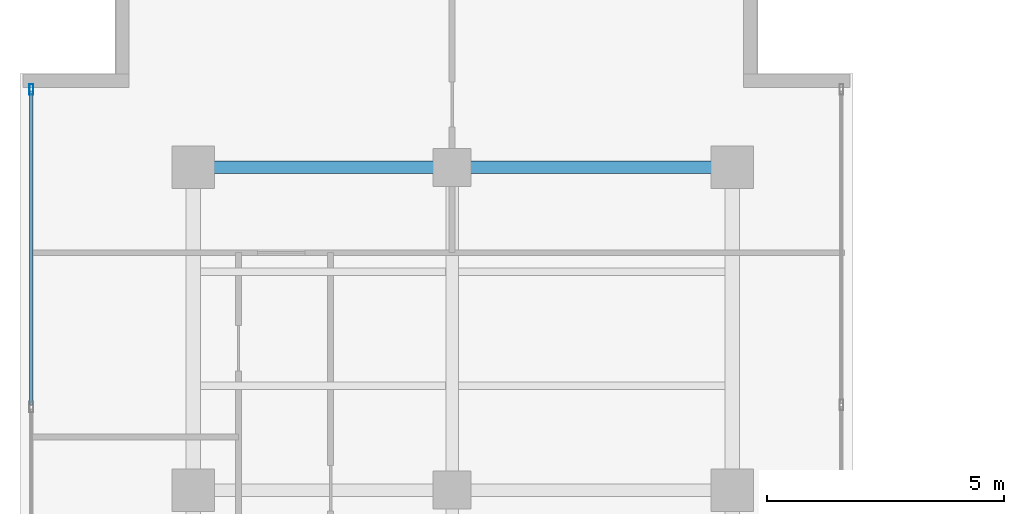
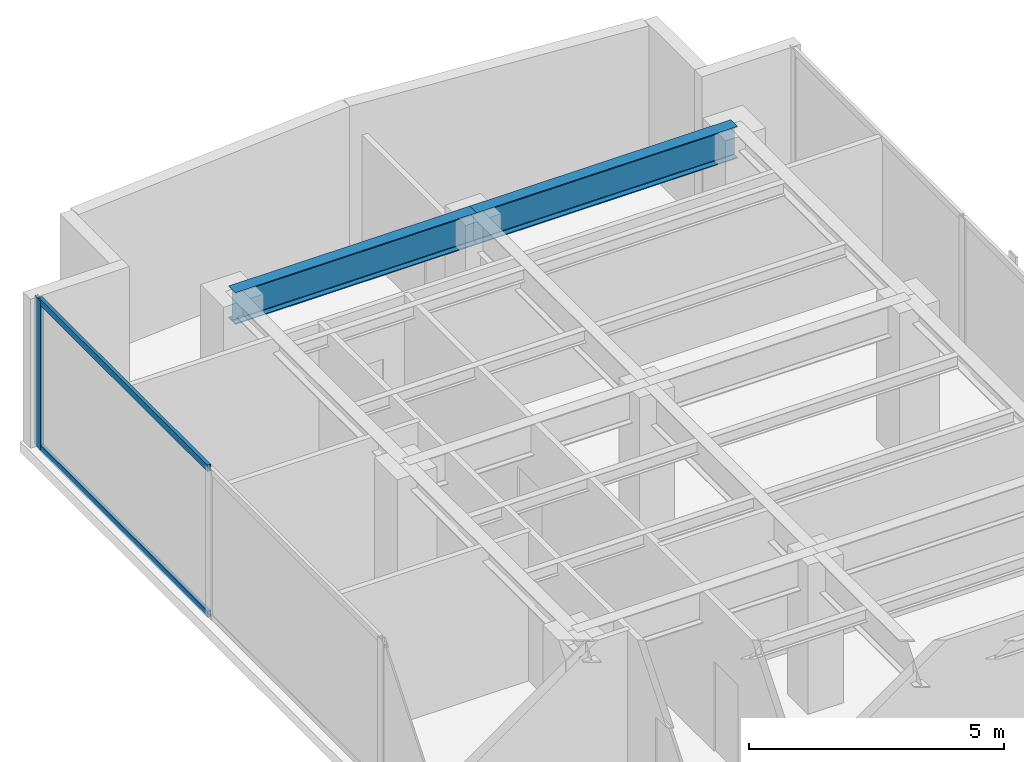
# One storey, part 14 of 24: 3 members, 2 beams, 1 element without a shape of its own.
"""IFC4 building model written with IfcOpenShell, lengths in metres."""

from ifc_helpers import new_model, si_unit, direction, frame, origin, origin_with_axes, origin_2d, place, context, subcontext, project, spatial, hollow_rectangle, i_section, extrude, source, transform, mapped, material, layer, layer_set, material_profile, profile_set, type_object, element, aggregate, save


model = new_model("IFC4")

# Units and contexts
model_context = context("Model", 3, precision=1e-05, world=origin(), true_north=direction((0.0, 1.0)))
body_context = subcontext(model_context, "Body", "Model", "MODEL_VIEW")
ifc_project = project(units=[si_unit("LENGTHUNIT", "METRE"), si_unit("AREAUNIT", "SQUARE_METRE"), si_unit("VOLUMEUNIT", "CUBIC_METRE"), si_unit("PLANEANGLEUNIT", "RADIAN"), si_unit("MASSUNIT", "GRAM", prefix="KILO")], contexts=[model_context])

# Site, building, storey
site_placement = place(None, origin())
site = spatial("IfcSite", under=ifc_project, at=site_placement, CompositionType="ELEMENT")
building_placement = place(site_placement, origin())
building = spatial("IfcBuilding", under=site, at=building_placement, Name="Kolvaren Waterfront Exchange", CompositionType="ELEMENT")
storey_placement = place(building_placement, frame((0.0, 0.0, 285.60009765625)))
storey = spatial("IfcBuildingStorey", under=building, at=storey_placement, Name="L73", CompositionType="ELEMENT", Elevation=285.60009765625)

# Beams
ifc_material_1 = material(Name="Steel S355", Category="steel")
ifc_material_profile_1 = material_profile(ifc_material_1, i_section(OverallWidth=0.26708984375, OverallDepth=0.761962890625, WebThickness=0.014404296875, FlangeThickness=0.021484375, FilletRadius=0.01708984375, at=origin_2d()), Name="IPE750x173")
ifc_profile_set_1 = profile_set([ifc_material_profile_1], Name="Steel S355")
beam_type = type_object("IfcBeamType", Name="STR-BM-IPE750", PredefinedType="BEAM", material=ifc_profile_set_1)
beam_1_placement = place(storey_placement, frame((7.449951171875, 44.60009765625, 3.178955078125), z_axis=(1.0, 0.0, 0.0), x_axis=(0.0, 1.0, 0.0)))
element("IfcBeam", 1, at=beam_1_placement, inside=storey, type_object=beam_type, Name="L73 north-arm girder 4A", PredefinedType="BEAM", context=body_context, shape_type="SweptSolid", body=[
    extrude(i_section(OverallWidth=0.26708984375, OverallDepth=0.761962890625, WebThickness=0.014404296875, FlangeThickness=0.021484375, FilletRadius=0.01708984375, at=origin_2d()), origin(), (0.0, 0.0, 1.0), 5.449951171875),
])
beam_2_placement = place(storey_placement, frame((12.89990234375, 44.60009765625, 3.178955078125), z_axis=(1.0, 0.0, 0.0), x_axis=(0.0, 1.0, 0.0)))
element("IfcBeam", 2, at=beam_2_placement, inside=storey, type_object=beam_type, Name="L73 north-arm girder 4B", PredefinedType="BEAM", context=body_context, shape_type="SweptSolid", body=[
    extrude(i_section(OverallWidth=0.26708984375, OverallDepth=0.761962890625, WebThickness=0.014404296875, FlangeThickness=0.021484375, FilletRadius=0.01708984375, at=origin_2d()), origin(), (0.0, 0.0, 1.0), 5.900146484375),
])

# Curtain wall, members
ifc_material_2 = material(Name="Anodised aluminium 6063-T6", Category="aluminium")
ifc_layer = layer(ifc_material_2, 0.219970703125, Name="Anodised aluminium 6063-T6")
ifc_layer_set = layer_set([ifc_layer], Name="Anodised aluminium 6063-T6")
curtain_wall_type = type_object("IfcCurtainWallType", Name="ARC-CW-SYS2", PredefinedType="USERDEFINED", material=ifc_layer_set)
curtain_wall_placement = place(storey_placement, origin())
curtain_wall = element("IfcCurtainWall", 3, at=curtain_wall_placement, inside=storey, type_object=curtain_wall_type, Name="L73 stick curtain wall CW2 (CW-L73-W)", ObjectType="STICK CURTAIN WALL", PredefinedType="USERDEFINED")
ifc_material_profile_2 = material_profile(ifc_material_2, hollow_rectangle(XDim=0.080078125, YDim=0.219970703125, WallThickness=0.0048828125, at=origin_2d()), Name="ALU-MUL-220x80x5")
ifc_profile_set_2 = profile_set([ifc_material_profile_2], Name="Anodised aluminium 6063-T6")
member_type_1 = type_object("IfcMemberType", Name="ARC-CWM-220", PredefinedType="MULLION", material=ifc_profile_set_2)
shared_shape_1 = source(origin_with_axes(), body_context, "Body", "SweptSolid", [
    extrude(hollow_rectangle(XDim=0.080078125, YDim=0.219970703125, WallThickness=0.0048828125, at=origin_2d()), origin(), (0.0, 0.0, 1.0), 3.559814453125),
])
member_1_placement = place(storey_placement, frame((4.0400390625, 46.239013671875, 0.0), z_axis=(0.0, 0.0, 1.0), x_axis=(-1.0, 0.0, 0.0)))
member_1 = element("IfcMember", 4, at=member_1_placement, type_object=member_type_1, Name="CW2 mullion 7", PredefinedType="MULLION", context=body_context, shape_type="MappedRepresentation", body=[
    mapped(shared_shape_1, transform((0.0, 0.0, 0.0), x_axis=(1.0, 0.0, 0.0), y_axis=(0.0, 1.0, 0.0), z_axis=(0.0, 0.0, 1.0), scale=1.0)),
])
ifc_material_profile_3 = material_profile(ifc_material_2, hollow_rectangle(XDim=0.074951171875, YDim=0.159912109375, WallThickness=0.00439453125, at=origin_2d()), Name="ALU-TRN-160x75x4.5")
ifc_profile_set_3 = profile_set([ifc_material_profile_3], Name="Anodised aluminium 6063-T6")
member_type_2 = type_object("IfcMemberType", Name="ARC-CWT-160", PredefinedType="USERDEFINED", material=ifc_profile_set_3)
shared_shape_2 = source(origin_with_axes(), body_context, "Body", "SweptSolid", [
    extrude(hollow_rectangle(XDim=0.074951171875, YDim=0.159912109375, WallThickness=0.00439453125, at=origin_2d()), origin(), (0.0, 0.0, 1.0), 6.60986328125),
])
member_2_placement = place(storey_placement, frame((4.0400390625, 39.589111328125, 0.037353515625), z_axis=(0.0, 1.0, 0.0), x_axis=(-1.0, 0.0, 0.0)))
member_2 = element("IfcMember", 5, at=member_2_placement, type_object=member_type_2, Name="CW2 transom 6.1", ObjectType="TRANSOM", PredefinedType="USERDEFINED", context=body_context, shape_type="MappedRepresentation", body=[
    mapped(shared_shape_2, transform((0.0, 0.0, 0.0), x_axis=(1.0, 0.0, 0.0), y_axis=(0.0, 1.0, 0.0), z_axis=(0.0, 0.0, 1.0), scale=1.0)),
])
member_3_placement = place(storey_placement, frame((4.0400390625, 39.589111328125, 3.5224609375), z_axis=(0.0, 1.0, 0.0), x_axis=(-1.0, 0.0, 0.0)))
member_3 = element("IfcMember", 6, at=member_3_placement, type_object=member_type_2, Name="CW2 transom 6.2", ObjectType="TRANSOM", PredefinedType="USERDEFINED", context=body_context, shape_type="MappedRepresentation", body=[
    mapped(shared_shape_2, transform((0.0, 0.0, 0.0), x_axis=(1.0, 0.0, 0.0), y_axis=(0.0, 1.0, 0.0), z_axis=(0.0, 0.0, 1.0), scale=1.0)),
])
aggregate(curtain_wall, [member_1, member_2, member_3])

save(model, "model.ifc")
